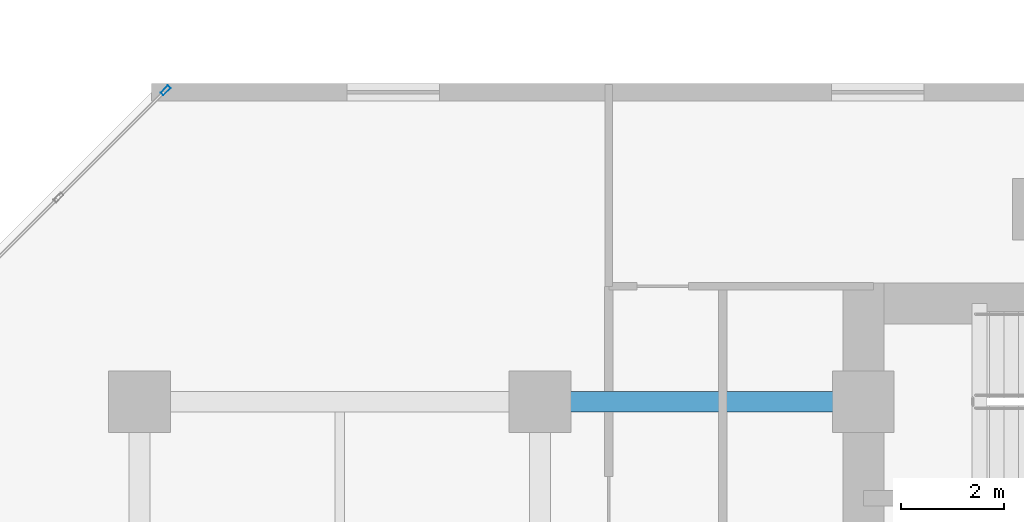
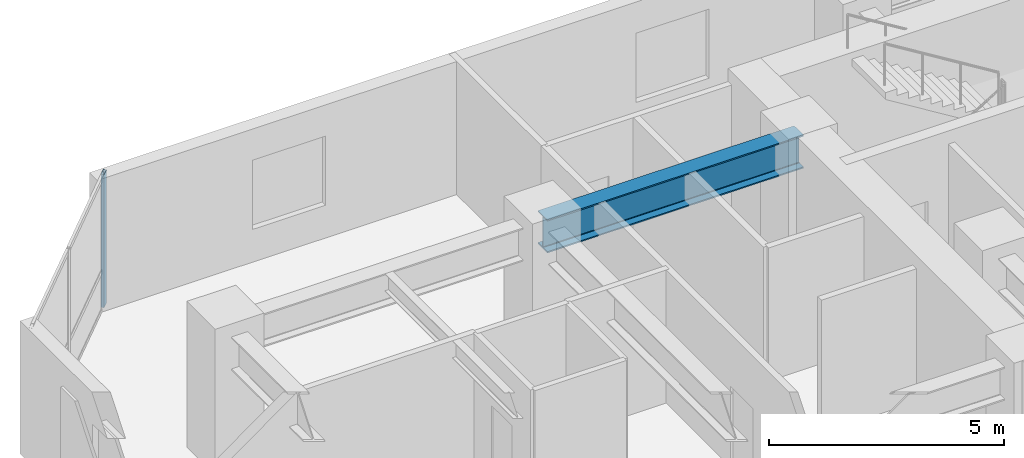
# One storey, part 3 of 11: 1 beam, 1 member, 1 element without a shape of its own.
"""IFC4 building model written with IfcOpenShell, lengths in metres."""

from ifc_helpers import new_model, si_unit, direction, frame, origin, origin_2d, place, context, subcontext, project, spatial, hollow_rectangle, i_section, extrude, material, layer, layer_set, material_profile, profile_set, type_object, element, aggregate, save


model = new_model("IFC4")

# Units and contexts
model_context = context("Model", 3, precision=1e-05, world=origin(), true_north=direction((0.0, 1.0)))
body_context = subcontext(model_context, "Body", "Model", "MODEL_VIEW")
ifc_project = project(units=[si_unit("LENGTHUNIT", "METRE"), si_unit("AREAUNIT", "SQUARE_METRE"), si_unit("VOLUMEUNIT", "CUBIC_METRE"), si_unit("PLANEANGLEUNIT", "RADIAN"), si_unit("MASSUNIT", "GRAM", prefix="KILO")], contexts=[model_context])

# Site, building, storey
site_placement = place(None, origin())
site = spatial("IfcSite", under=ifc_project, at=site_placement, CompositionType="ELEMENT")
building_placement = place(site_placement, origin())
building = spatial("IfcBuilding", under=site, at=building_placement, Name="Kestravale Grand Hotel", CompositionType="ELEMENT")
storey_placement = place(building_placement, frame((0.0, 0.0, 126.0)))
storey = spatial("IfcBuildingStorey", under=building, at=storey_placement, Name="L31", CompositionType="ELEMENT", Elevation=126.0)

# Beam
ifc_material_1 = material(Name="Steel ASTM A992 Grade 50", Category="steel")
ifc_material_profile_1 = material_profile(ifc_material_1, i_section(OverallWidth=0.40087890625, OverallDepth=0.861083984375, WebThickness=0.019775390625, FlangeThickness=0.032470703125, FilletRadius=0.0234375, at=origin_2d()))
ifc_profile_set_1 = profile_set([ifc_material_profile_1], Name="Steel ASTM A992 Grade 50")
beam_type = type_object("IfcBeamType", Name="B-GRD-W33", PredefinedType="BEAM", material=ifc_profile_set_1)
beam_placement = place(storey_placement, frame((15.60009765625, 38.39990234375, 3.029541015625), z_axis=(1.0, 0.0, 0.0), x_axis=(0.0, 1.0, 0.0)))
element("IfcBeam", 1, at=beam_placement, inside=storey, type_object=beam_type, Name="L31 girder F:3-CW", PredefinedType="BEAM", context=body_context, shape_type="SweptSolid", body=[
    extrude(i_section(OverallWidth=0.40087890625, OverallDepth=0.861083984375, WebThickness=0.019775390625, FlangeThickness=0.032470703125, FilletRadius=0.0234375, at=origin_2d()), origin(), (0.0, 0.0, 1.0), 6.2998046875),
])

# Curtain wall, member
ifc_material_2 = material(Name="Thermally broken champagne-bronze aluminium and low-E glazing", Category="aluminium")
ifc_layer = layer(ifc_material_2, 0.199951171875)
ifc_layer_set = layer_set([ifc_layer], Name="CW-Z2")
curtain_wall_type = type_object("IfcCurtainWallType", Name="CW-Z2", PredefinedType="NOTDEFINED", material=ifc_layer_set)
curtain_wall_placement = place(storey_placement, origin())
curtain_wall = element("IfcCurtainWall", 2, at=curtain_wall_placement, inside=storey, type_object=curtain_wall_type, Name="L31 unitised curtain wall 18", PredefinedType="NOTDEFINED")
ifc_material_3 = material(Name="Aluminium 6063-T6 anodised", Category="aluminium")
ifc_material_profile_2 = material_profile(ifc_material_3, hollow_rectangle(XDim=0.074951171875, YDim=0.199951171875, WallThickness=0.00390625, at=origin_2d()))
ifc_profile_set_2 = profile_set([ifc_material_profile_2], Name="Aluminium 6063-T6 anodised")
member_type = type_object("IfcMemberType", Name="CW-MUL-200", PredefinedType="MULLION", material=ifc_profile_set_2)
member_placement = place(storey_placement, frame((8.307861328125, 44.467529296875, 0.0), z_axis=(0.0, 0.0, 1.0), x_axis=(0.707106781187, -0.707106781187, 0.0)))
member = element("IfcMember", 3, at=member_placement, type_object=member_type, Name="CW-Z2 mullion 1", PredefinedType="MULLION", context=body_context, shape_type="SweptSolid", body=[
    extrude(hollow_rectangle(XDim=0.074951171875, YDim=0.199951171875, WallThickness=0.00390625, at=origin_2d()), origin(), (0.0, 0.0, 1.0), 3.4599609375),
])
aggregate(curtain_wall, [member])

save(model, "model.ifc")
